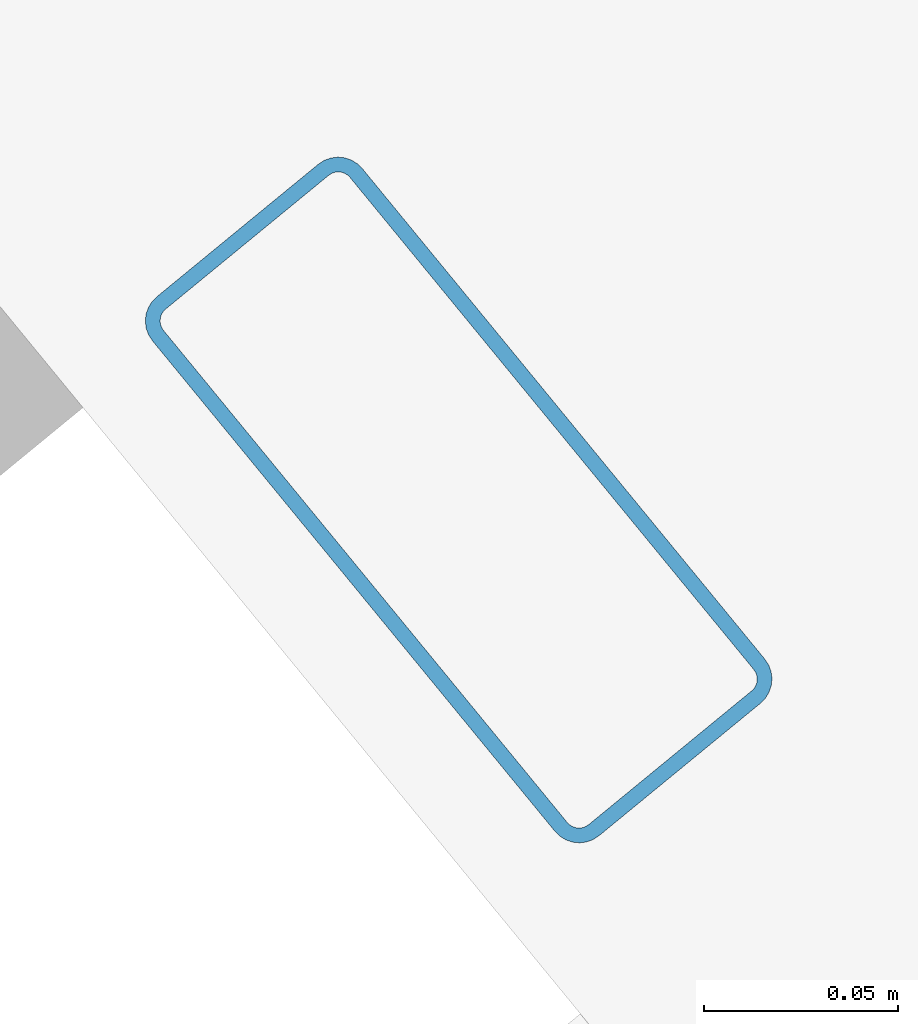
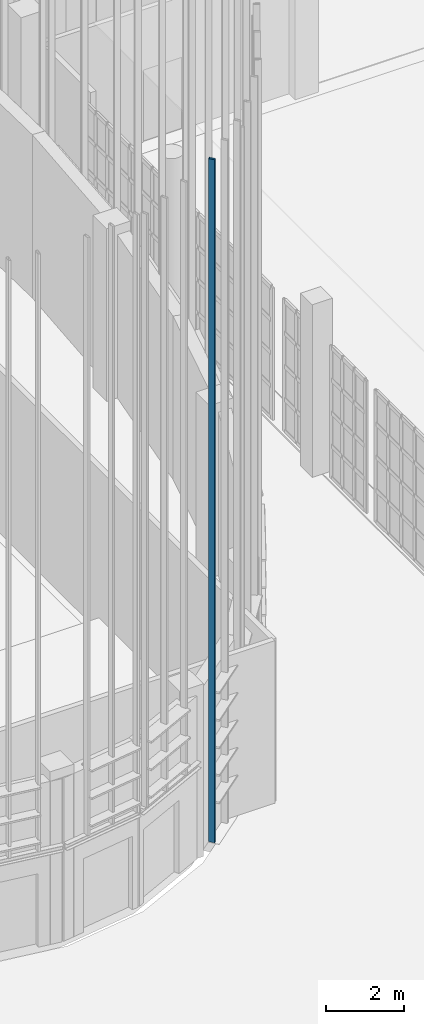
# One storey, part 151 of 372: 1 member.
"""IFC4 building model written with IfcOpenShell, lengths in metres."""

from ifc_helpers import new_model, si_unit, direction, frame, origin, origin_2d, place, context, subcontext, project, spatial, hollow_rectangle, extrude, material, material_profile, profile_set, type_object, element, save


model = new_model("IFC4")

# Units and contexts
model_context = context("Model", 3, precision=1e-05, world=origin(), true_north=direction((0.0, 1.0)))
body_context = subcontext(model_context, "Body", "Model", "MODEL_VIEW")
ifc_project = project(units=[si_unit("LENGTHUNIT", "METRE"), si_unit("AREAUNIT", "SQUARE_METRE"), si_unit("VOLUMEUNIT", "CUBIC_METRE"), si_unit("PLANEANGLEUNIT", "RADIAN"), si_unit("MASSUNIT", "GRAM", prefix="KILO")], contexts=[model_context])

# Site, building, storey
site_placement = place(None, origin())
site = spatial("IfcSite", under=ifc_project, at=site_placement, CompositionType="ELEMENT")
building_placement = place(site_placement, origin())
building = spatial("IfcBuilding", under=site, at=building_placement, Name="Kaelora Sail Theatre", CompositionType="ELEMENT")
storey_placement = place(building_placement, origin())
storey = spatial("IfcBuildingStorey", under=building, at=storey_placement, Name="L00", CompositionType="ELEMENT", Elevation=0.0)

# Member
ifc_material = material(Name="Anodised aluminium 6063-T6", Category="aluminium")
ifc_material_profile = material_profile(ifc_material, hollow_rectangle(XDim=0.070068359375, YDim=0.179931640625, WallThickness=0.00390625, InnerFilletRadius=0.00390625, OuterFilletRadius=0.008056640625, at=origin_2d()), Name="ALU-MULL 70x180x4")
ifc_profile_set = profile_set([ifc_material_profile], Name="Anodised aluminium 6063-T6")
member_type = type_object("IfcMemberType", Name="ARC-MEM-PST-160", PredefinedType="POST", material=ifc_profile_set)
member_placement = place(storey_placement, frame((96.1455078125, 33.045654296875, 0.0), z_axis=(0.0, 0.0, 1.0), x_axis=(-0.773065811677, -0.63432582386, 0.0)))
element("IfcMember", 1, at=member_placement, inside=storey, type_object=member_type, Name="Studio Theatre Sail Drum solar louvre vertical support post C8-3", PredefinedType="POST", context=body_context, shape_type="SweptSolid", body=[
    extrude(hollow_rectangle(XDim=0.070068359375, YDim=0.179931640625, WallThickness=0.00390625, InnerFilletRadius=0.00390625, OuterFilletRadius=0.008056640625, at=origin_2d()), origin(), (0.0, 0.0, 1.0), 21.35986328125),
])

save(model, "model.ifc")
